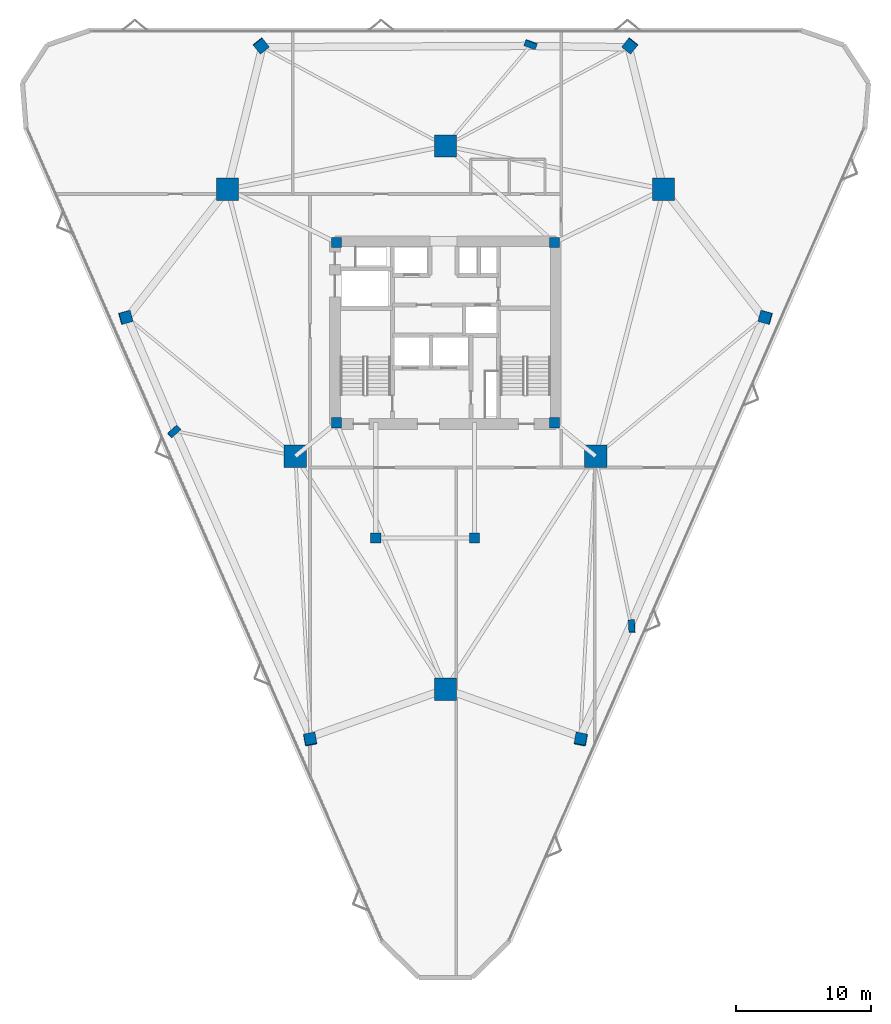
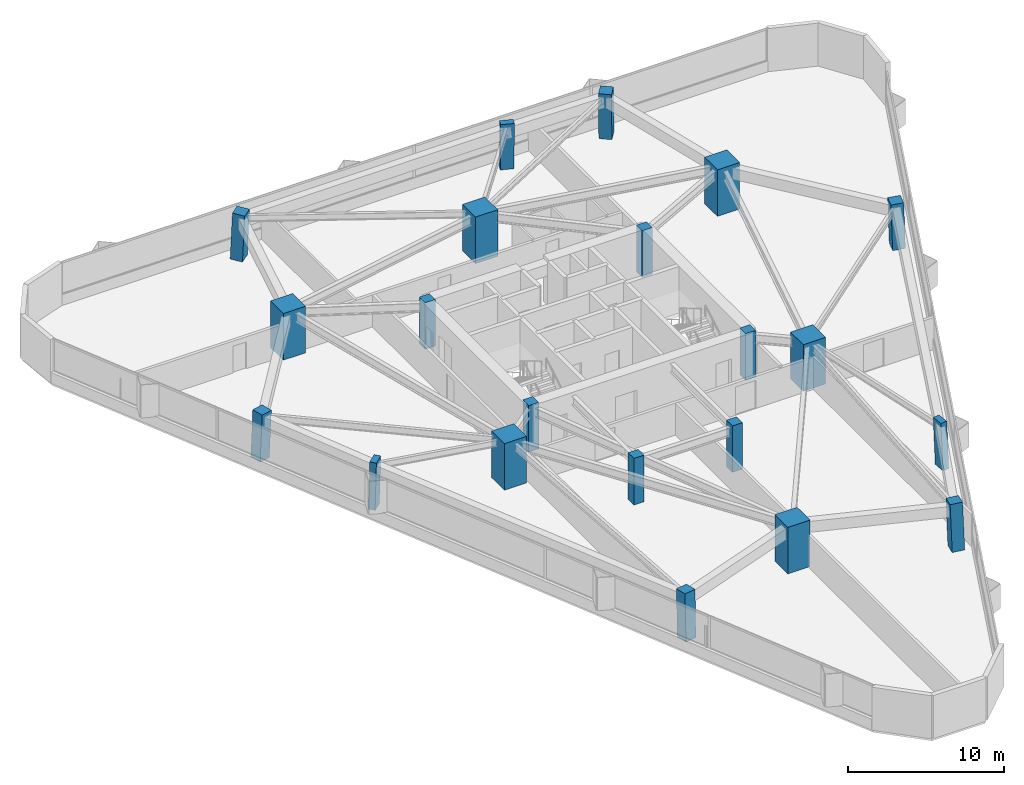
# One storey, part 1 of 17: 21 columns.
"""IFC4 building model written with IfcOpenShell, lengths in metres."""

import ifcopenshell
import ifcopenshell.guid

model = None  # the IFC model being written
_history = None  # IfcOwnerHistory: only IFC2X3 demands one
_inside = {}  # id of a spatial element -> (the spatial element, [elements in it])
_under = {}  # id of a project, library or spatial element -> (it, [spatial elements below it])
_declared = {}  # id of a project -> (the project, [libraries it declares])
_typed = {}  # id of a type object -> (the type object, [elements of that type])
_made_of = {}  # id of a material, layer set ... -> (it, [elements and type objects made of it])


def new_model(schema):
    """Start an empty IFC model of exactly this schema.

    Asked for "IFC4X3", IfcOpenShell would pick the latest addendum, in which some entities
    have other attributes; the version numbers below select the first issue.
    IFC2X3 requires an IfcOwnerHistory on every rooted entity: one is made here for all.
    """
    global model, _history
    if schema == "IFC4X3":
        model = ifcopenshell.file(schema_version=(4, 3, 0, 0))
    else:
        model = ifcopenshell.file(schema=schema)
    _inside.clear()
    _under.clear()
    _declared.clear()
    _typed.clear()
    _made_of.clear()
    _history = None
    if model.schema == "IFC2X3":
        org = make("IfcOrganization", Name="unknown")
        user = make(
            "IfcPersonAndOrganization",
            ThePerson=make("IfcPerson", FamilyName="unknown"),
            TheOrganization=org,
        )
        app = make(
            "IfcApplication",
            ApplicationDeveloper=org,
            Version="unknown",
            ApplicationFullName="unknown",
            ApplicationIdentifier="unknown",
        )
        _history = make(
            "IfcOwnerHistory",
            OwningUser=user,
            OwningApplication=app,
            ChangeAction="ADDED",
            CreationDate=0,
        )
    return model


def make(cls, **values):
    """One entity of the class cls with the attributes given. An attribute that is None is left unset."""
    return model.create_entity(
        cls, **{name: value for name, value in values.items() if value is not None}
    )


def rooted(cls, **values):
    """An entity with a GlobalId (a new one), such as an element, a storey or a relation."""
    return make(cls, GlobalId=ifcopenshell.guid.new(), OwnerHistory=_history, **values)


def si_unit(unit_type, name, prefix=None):
    """IfcSIUnit, for example si_unit("LENGTHUNIT", "METRE", prefix="MILLI")."""
    return make("IfcSIUnit", UnitType=unit_type, Prefix=prefix, Name=name)


def assignment(units):
    """IfcUnitAssignment: the units of a project."""
    return None if units is None else make("IfcUnitAssignment", Units=units)


def point(xyz):
    """IfcCartesianPoint."""
    return None if xyz is None else make("IfcCartesianPoint", Coordinates=xyz)


def direction(xyz):
    """IfcDirection."""
    return None if xyz is None else make("IfcDirection", DirectionRatios=xyz)


def frame(location, z_axis=None, x_axis=None):
    """IfcAxis2Placement3D, a coordinate frame: its origin and axes. An axis left out is left unset."""
    return make(
        "IfcAxis2Placement3D",
        Location=point(location),
        Axis=direction(z_axis),
        RefDirection=direction(x_axis),
    )


def frame_2d(location, x_axis=None):
    """IfcAxis2Placement2D, a coordinate frame in the plane: its origin and x axis."""
    return make(
        "IfcAxis2Placement2D", Location=point(location), RefDirection=direction(x_axis)
    )


def origin():
    """The frame at (0, 0, 0) with its axes left unset."""
    return frame((0.0, 0.0, 0.0))


def origin_2d():
    """The frame at (0, 0) in the plane with its x axis left unset."""
    return frame_2d((0.0, 0.0))


def place(relative_to, where):
    """IfcLocalPlacement: puts the frame where relative to a parent placement (None: the world)."""
    return make(
        "IfcLocalPlacement", PlacementRelTo=relative_to, RelativePlacement=where
    )


def context(
    kind, dimensions, precision=None, world=None, true_north=None, identifier=None
):
    """IfcGeometricRepresentationContext, for example the 3D "Model" context."""
    return make(
        "IfcGeometricRepresentationContext",
        ContextIdentifier=identifier,
        ContextType=kind,
        CoordinateSpaceDimension=dimensions,
        Precision=precision,
        WorldCoordinateSystem=world,
        TrueNorth=true_north,
    )


def subcontext(parent, identifier, kind, view, scale=None):
    """IfcGeometricRepresentationSubContext, for example "Body" below "Model"."""
    return make(
        "IfcGeometricRepresentationSubContext",
        ContextIdentifier=identifier,
        ContextType=kind,
        ParentContext=parent,
        TargetScale=scale,
        TargetView=view,
    )


def project(units=None, contexts=None):
    """IfcProject with its units and contexts."""
    return rooted(
        "IfcProject",
        Name="project",
        RepresentationContexts=contexts,
        UnitsInContext=assignment(units),
    )


def spatial(cls, under=None, at=None, **own):
    """A site, building, storey or space (cls), placed at a placement, below another one or the project."""
    s = rooted(cls, ObjectPlacement=at, **own)
    if under is not None:
        _under.setdefault(under.id(), (under, []))[1].append(s)
    return s


def profile(cls, at=None, kind="AREA", **sizes):
    """A parametric profile (cls). Its sizes go by their IFC names, for example OverallWidth=200.0."""
    return make(cls, ProfileType=kind, Position=at, **sizes)


def rectangle(**sizes):
    """IfcRectangleProfileDef."""
    return profile("IfcRectangleProfileDef", **sizes)


def extrude(swept, where, along, depth):
    """IfcExtrudedAreaSolid: the profile swept, set in the frame where, extruded along a direction by depth."""
    return make(
        "IfcExtrudedAreaSolid",
        SweptArea=swept,
        Position=where,
        ExtrudedDirection=direction(along),
        Depth=depth,
    )


def shape(context_of_items, identifier, shape_type, items):
    """IfcShapeRepresentation: the items that make up one representation, for example the "Body"."""
    return make(
        "IfcShapeRepresentation",
        ContextOfItems=context_of_items,
        RepresentationIdentifier=identifier,
        RepresentationType=shape_type,
        Items=items,
    )


def material(Name=None, Category=None):
    """IfcMaterial."""
    return make("IfcMaterial", Name=Name, Category=Category)


def material_profile(
    of_material, cross_section, Name=None, Category=None, Priority=None
):
    """IfcMaterialProfile: a cross section and its material."""
    return make(
        "IfcMaterialProfile",
        Name=Name,
        Material=of_material,
        Profile=cross_section,
        Priority=Priority,
        Category=Category,
    )


def profile_set(profiles, Name=None, composite=None):
    """IfcMaterialProfileSet."""
    return make(
        "IfcMaterialProfileSet",
        Name=Name,
        MaterialProfiles=profiles,
        CompositeProfile=composite,
    )


def made_of(thing, what):
    """Note that an element or type object is made of a material, layer set ...; save() writes the relation."""
    if what is not None:
        _made_of.setdefault(what.id(), (what, []))[1].append(thing)
    return thing


def type_object(cls, material=None, **own):
    """A type object (cls), such as IfcWallType, which elements share."""
    return made_of(rooted(cls, **own), material)


def element(
    cls,
    number,
    at=None,
    inside=None,
    cuts=None,
    type_object=None,
    material=None,
    context=None,
    identifier="Body",
    shape_type=None,
    held_by="IfcProductDefinitionShape",
    body=None,
    shapes=None,
    **own,
):
    """One element of the class cls, such as IfcWall. Its Tag is "e" and its number.

    at: its placement. inside: the storey or other place that contains it. cuts: it is an
    opening in that element (IfcRelVoidsElement). A single representation is given by context,
    identifier, shape_type and body (its items); several are given by shapes. held_by: the class
    of the entity that holds the representations. save() writes the other relations.
    """
    e = rooted(cls, Tag="e%d" % number, ObjectPlacement=at, **own)
    if body is not None:
        shapes = [shape(context, identifier, shape_type, body)]
    if shapes is not None:
        e.Representation = make(held_by, Representations=shapes)
    if inside is not None:
        _inside.setdefault(inside.id(), (inside, []))[1].append(e)
    if cuts is not None:
        rooted(
            "IfcRelVoidsElement", RelatingBuildingElement=cuts, RelatedOpeningElement=e
        )
    if type_object is not None:
        _typed.setdefault(type_object.id(), (type_object, []))[1].append(e)
    return made_of(e, material)


def aggregate(whole, parts):
    """IfcRelAggregates: a whole, such as a stair, and the parts it consists of."""
    return rooted("IfcRelAggregates", RelatingObject=whole, RelatedObjects=parts)


def save(model, path):
    """Write the relations noted so far, then the file.

    IfcRelAggregates (storeys below a building ...), IfcRelContainedInSpatialStructure (elements
    in a storey), IfcRelDefinesByType, IfcRelAssociatesMaterial and IfcRelDeclares: one each for
    every whole, place, type object, material and project.
    """
    for whole, parts in _under.values():
        aggregate(whole, parts)
    for where, things in _inside.values():
        rooted(
            "IfcRelContainedInSpatialStructure",
            RelatedElements=things,
            RelatingStructure=where,
        )
    for kind, things in _typed.values():
        rooted("IfcRelDefinesByType", RelatedObjects=things, RelatingType=kind)
    for what, things in _made_of.values():
        rooted("IfcRelAssociatesMaterial", RelatedObjects=things, RelatingMaterial=what)
    for by, libraries in _declared.values():
        rooted("IfcRelDeclares", RelatingContext=by, RelatedDefinitions=libraries)
    model.write(path)


model = new_model("IFC4")

# Units and contexts
model_context = context("Model", 3, precision=1e-05, world=origin(), true_north=direction((0.0, 1.0)))
body_context = subcontext(model_context, "Body", "Model", "MODEL_VIEW")
ifc_project = project(units=[si_unit("LENGTHUNIT", "METRE"), si_unit("AREAUNIT", "SQUARE_METRE"), si_unit("VOLUMEUNIT", "CUBIC_METRE"), si_unit("PLANEANGLEUNIT", "RADIAN"), si_unit("MASSUNIT", "GRAM", prefix="KILO")], contexts=[model_context])

# Site, building, storey
site_placement = place(None, origin())
site = spatial("IfcSite", under=ifc_project, at=site_placement, CompositionType="ELEMENT")
building_placement = place(site_placement, origin())
building = spatial("IfcBuilding", under=site, at=building_placement, Name="Talyreon Biosciences Tower", CompositionType="ELEMENT")
storey_placement = place(building_placement, frame((0.0, 0.0, 93.25)))
storey = spatial("IfcBuildingStorey", under=building, at=storey_placement, Name="L24", CompositionType="ELEMENT", Elevation=93.25)

# Columns
ifc_material_1 = material(Name="Precast concrete C45/55", Category="concrete")
ifc_material_profile_1 = material_profile(ifc_material_1, rectangle(XDim=0.89990234375, YDim=0.449951171875, at=origin_2d()), Name="RC 900x450")
ifc_profile_set_1 = profile_set([ifc_material_profile_1], Name="Precast concrete C45/55")
column_type_1 = type_object("IfcColumnType", Name="FacadePilaster_900x450", PredefinedType="PILASTER", material=ifc_profile_set_1)
column_1_placement = place(storey_placement, frame((79.765869140625, 46.30419921875, 0.0029296875), z_axis=(-0.019612004119, 0.038286915892, 0.999074312234), x_axis=(0.060857631604, -0.997367893202, 0.039416167826)))
element("IfcColumn", 1, at=column_1_placement, inside=storey, type_object=column_type_1, Name="L24 Facade Pilaster PL-SE", PredefinedType="PILASTER", context=body_context, shape_type="SweptSolid", body=[
    extrude(rectangle(XDim=0.89990234375, YDim=0.449951171875, at=origin_2d()), origin(), (0.0, 0.0, 1.0), 3.6474609375),
])
column_2_placement = place(storey_placement, frame((72.29248046875, 89.303466796875, 0.0029296875), z_axis=(-0.01238655289, -0.033544124313, 0.999360478022), x_axis=(-0.9380871136, 0.346399433166, 0.0)))
element("IfcColumn", 2, at=column_2_placement, inside=storey, type_object=column_type_1, Name="L24 Facade Pilaster PL-N", PredefinedType="PILASTER", context=body_context, shape_type="SweptSolid", body=[
    extrude(rectangle(XDim=0.89990234375, YDim=0.449951171875, at=origin_2d()), origin(), (0.0, 0.0, 1.0), 3.646484375),
])
column_3_placement = place(storey_placement, frame((45.94140625, 60.69921875, 0.0029296875), z_axis=(0.032073367297, 0.010512565064, 0.999430230224), x_axis=(0.745452090072, 0.665841373163, -0.030926480419)))
element("IfcColumn", 3, at=column_3_placement, inside=storey, type_object=column_type_1, Name="L24 Facade Pilaster PL-SW", PredefinedType="PILASTER", context=body_context, shape_type="SweptSolid", body=[
    extrude(rectangle(XDim=0.89990234375, YDim=0.449951171875, at=origin_2d()), origin(), (0.0, 0.0, 1.0), 3.646240234375),
])
ifc_material_2 = material(Name="Concrete C60/75", Category="concrete")
ifc_material_profile_2 = material_profile(ifc_material_2, rectangle(XDim=1.64990234375, YDim=1.64990234375, at=origin_2d()), Name="RC 1650x1650")
ifc_profile_set_2 = profile_set([ifc_material_profile_2], Name="Concrete C60/75")
column_type_2 = type_object("IfcColumnType", Name="MegaColumn_1650", PredefinedType="COLUMN", material=ifc_profile_set_2)
for number, where, z_axis, x_axis, name in (
    (4, (66.0, 41.6669921875, 0.0), (0.0, 0.0, 1.0), (1.0, 0.0, 0.0), "L24 Composite Mega-Column MC1"),
    (5, (82.102294921875, 78.5986328125, 0.0), (0.0, 0.0, 1.0), (1.0, 0.0, 0.0), "L24 Composite Mega-Column MC2"),
    (6, (49.897705078125, 78.5986328125, 0.0), (0.0, 0.0, 1.0), (1.0, 0.0, 0.0), "L24 Composite Mega-Column MC3"),
    (7, (77.086181640625, 58.88037109375, 0.0), (0.0, 0.0, 1.0), (1.0, 0.0, 0.0), "L24 Composite Mega-Column MC4"),
    (8, (66.0, 81.788818359375, 0.0), (0.0, 0.0, 1.0), (1.0, 0.0, 0.0), "L24 Composite Mega-Column MC5"),
    (9, (54.913818359375, 58.88037109375, 0.0), (0.0, 0.0, 1.0), (1.0, 0.0, 0.0), "L24 Composite Mega-Column MC6"),
):
    element("IfcColumn", number, at=place(storey_placement, frame(where, z_axis=z_axis, x_axis=x_axis)), inside=storey, type_object=column_type_2, Name=name, PredefinedType="COLUMN", context=body_context, shape_type="SweptSolid", body=[
        extrude(rectangle(XDim=1.64990234375, YDim=1.64990234375, at=origin_2d()), origin(), (0.0, 0.0, 1.0), 3.64990234375),
    ])
ifc_material_3 = material(Name="Concrete C50/60", Category="concrete")
ifc_material_profile_3 = material_profile(ifc_material_3, rectangle(XDim=0.75, YDim=0.75, at=origin_2d()), Name="RC 750x750")
ifc_profile_set_3 = profile_set([ifc_material_profile_3], Name="Concrete C50/60")
column_type_3 = type_object("IfcColumnType", Name="PerimeterColumn_750", PredefinedType="COLUMN", material=ifc_profile_set_3)
for number, where, z_axis, x_axis, name in (
    (10, (57.949951171875, 61.35009765625, 0.0), (0.0, 0.0, 1.0), (1.0, 0.0, 0.0), "L24 Core Column CC1"),
    (11, (74.050048828125, 61.35009765625, 0.0), (0.0, 0.0, 1.0), (1.0, 0.0, 0.0), "L24 Core Column CC2"),
    (12, (74.050048828125, 74.64990234375, 0.0), (0.0, 0.0, 1.0), (1.0, 0.0, 0.0), "L24 Core Column CC3"),
    (13, (57.949951171875, 74.64990234375, 0.0), (0.0, 0.0, 1.0), (1.0, 0.0, 0.0), "L24 Core Column CC4"),
    (14, (60.85009765625, 52.840087890625, 0.0), (0.0, 0.0, 1.0), (1.0, 0.0, 0.0), "L24 Core Column CSW"),
    (15, (68.14990234375, 52.840087890625, 0.0), (0.0, 0.0, 1.0), (1.0, 0.0, 0.0), "L24 Core Column CSE"),
):
    element("IfcColumn", number, at=place(storey_placement, frame(where, z_axis=z_axis, x_axis=x_axis)), inside=storey, type_object=column_type_3, Name=name, PredefinedType="COLUMN", context=body_context, shape_type="SweptSolid", body=[
        extrude(rectangle(XDim=0.75, YDim=0.75, at=origin_2d()), origin(), (0.0, 0.0, 1.0), 3.64990234375),
    ])
ifc_material_profile_4 = material_profile(ifc_material_2, rectangle(XDim=0.85009765625, YDim=0.85009765625, at=origin_2d()), Name="RC 850x850")
ifc_profile_set_4 = profile_set([ifc_material_profile_4], Name="Concrete C60/75")
column_type_4 = type_object("IfcColumnType", Name="PerimeterColumn_850", PredefinedType="COLUMN", material=ifc_profile_set_4)
column_4_placement = place(storey_placement, frame((76.00341796875, 37.947021484375, 0.0029296875), z_axis=(-0.012308213911, 0.054517360531, 0.99843696109), x_axis=(-0.189236064739, -0.98059533515, 0.051210355235)))
element("IfcColumn", 16, at=column_4_placement, inside=storey, type_object=column_type_4, Name="L24 Tapering Perimeter Column PC-SE1", PredefinedType="COLUMN", context=body_context, shape_type="SweptSolid", body=[
    extrude(rectangle(XDim=0.85009765625, YDim=0.85009765625, at=origin_2d()), origin(), (0.0, 0.0, 1.0), 3.649658203125),
])
column_5_placement = place(storey_placement, frame((89.637451171875, 69.13623046875, 0.0029296875), z_axis=(-0.039229493406, -0.00569028488, 0.999214024874), x_axis=(0.963573673715, -0.264965160903, 0.03632132749)))
element("IfcColumn", 17, at=column_5_placement, inside=storey, type_object=column_type_4, Name="L24 Tapering Perimeter Column PC-SE2", PredefinedType="COLUMN", context=body_context, shape_type="SweptSolid", body=[
    extrude(rectangle(XDim=0.85009765625, YDim=0.85009765625, at=origin_2d()), origin(), (0.0, 0.0, 1.0), 3.64697265625),
])
for number, where, z_axis, x_axis, name in (
    (18, (79.634033203125, 89.20361328125, 0.0029296875), (-0.026907963191, -0.033534551141, 0.999075270136), (-0.779956681152, 0.625833504637, 0.0), "L24 Tapering Perimeter Column PC-N1"),
    (19, (52.365966796875, 89.20361328125, 0.0029296875), (0.026907963191, -0.033534551141, 0.999075270136), (-0.779956681152, -0.625833504637, 0.0), "L24 Tapering Perimeter Column PC-N2"),
):
    element("IfcColumn", number, at=place(storey_placement, frame(where, z_axis=z_axis, x_axis=x_axis)), inside=storey, type_object=column_type_4, Name=name, PredefinedType="COLUMN", context=body_context, shape_type="SweptSolid", body=[
        extrude(rectangle(XDim=0.85009765625, YDim=0.85009765625, at=origin_2d()), origin(), (0.0, 0.0, 1.0), 3.6474609375),
    ])
column_6_placement = place(storey_placement, frame((42.362548828125, 69.13623046875, 0.0029296875), z_axis=(0.039229493406, -0.00569028488, 0.999214024874), x_axis=(0.963573673715, 0.264965160903, -0.03632132749)))
element("IfcColumn", 20, at=column_6_placement, inside=storey, type_object=column_type_4, Name="L24 Tapering Perimeter Column PC-SW1", PredefinedType="COLUMN", context=body_context, shape_type="SweptSolid", body=[
    extrude(rectangle(XDim=0.85009765625, YDim=0.85009765625, at=origin_2d()), origin(), (0.0, 0.0, 1.0), 3.64697265625),
])
column_7_placement = place(storey_placement, frame((55.99658203125, 37.947021484375, 0.0029296875), z_axis=(0.012308213911, 0.054517360531, 0.99843696109), x_axis=(-0.189236064739, 0.98059533515, -0.051210355235)))
element("IfcColumn", 21, at=column_7_placement, inside=storey, type_object=column_type_4, Name="L24 Tapering Perimeter Column PC-SW2", PredefinedType="COLUMN", context=body_context, shape_type="SweptSolid", body=[
    extrude(rectangle(XDim=0.85009765625, YDim=0.85009765625, at=origin_2d()), origin(), (0.0, 0.0, 1.0), 3.649658203125),
])

save(model, "model.ifc")
